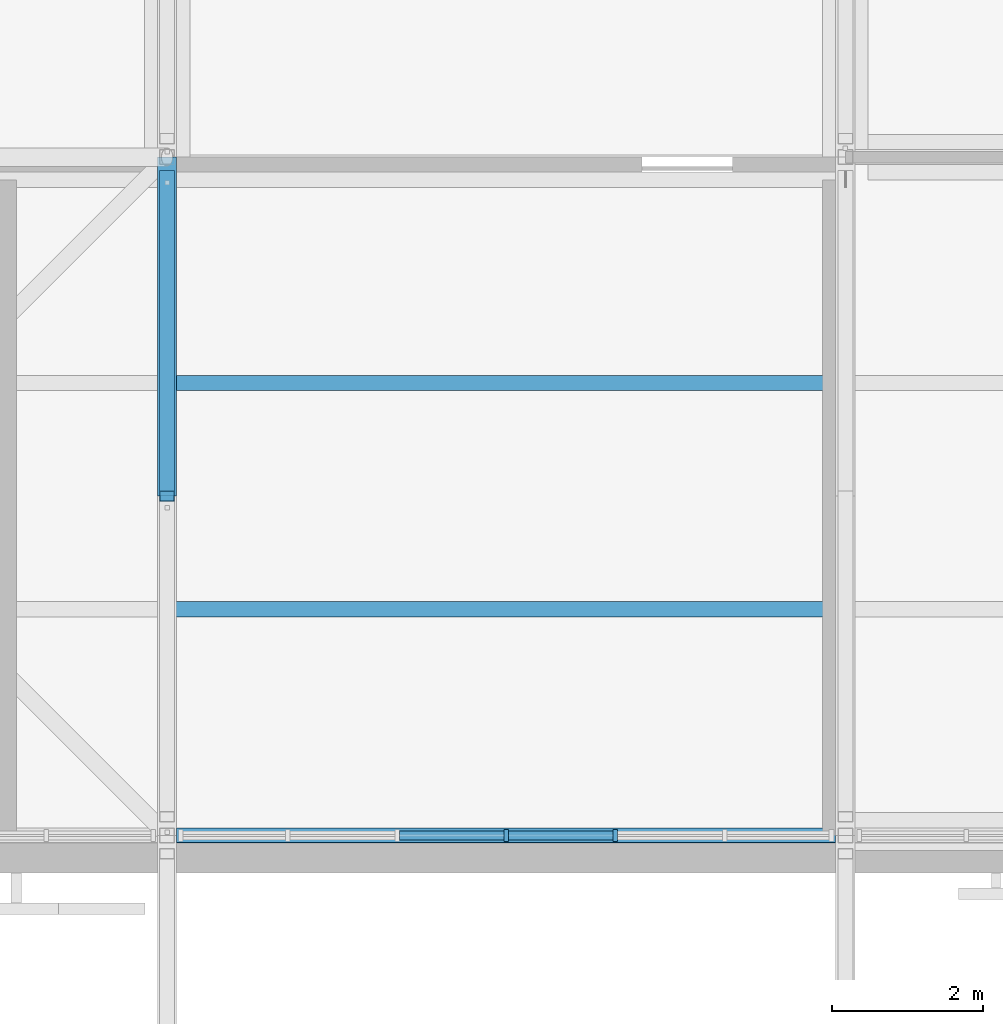
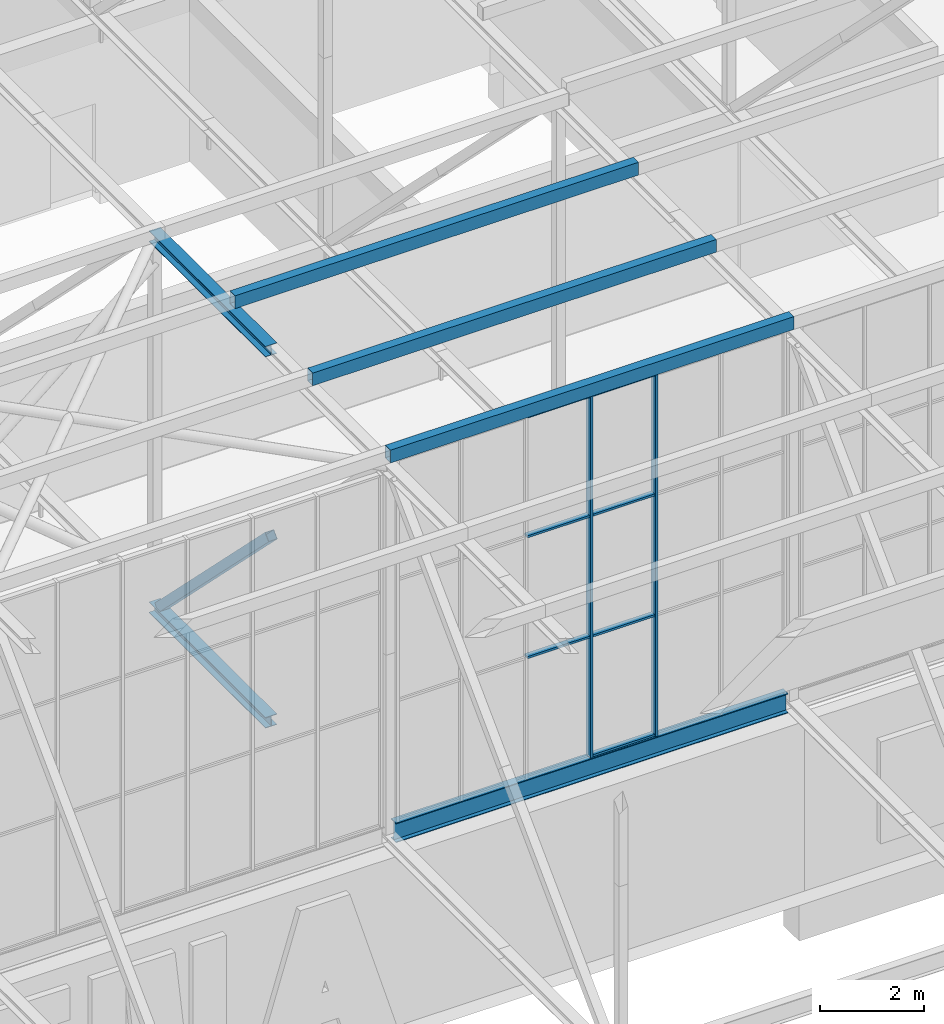
# One storey, part 40 of 646: 15 members, 1 beam, 1 element without a shape of its own.
"""IFC4 building model written with IfcOpenShell, lengths in metres."""

from ifc_helpers import new_model, si_unit, direction, frame, origin, origin_2d, place, context, subcontext, project, spatial, rectangle, hollow_rectangle, i_section, extrude, material, material_profile, profile_set, type_object, element, aggregate, save


model = new_model("IFC4")

# Units and contexts
model_context = context("Model", 3, precision=1e-05, world=origin(), true_north=direction((0.0, 1.0)))
body_context = subcontext(model_context, "Body", "Model", "MODEL_VIEW")
ifc_project = project(units=[si_unit("LENGTHUNIT", "METRE"), si_unit("AREAUNIT", "SQUARE_METRE"), si_unit("VOLUMEUNIT", "CUBIC_METRE"), si_unit("PLANEANGLEUNIT", "RADIAN"), si_unit("MASSUNIT", "GRAM", prefix="KILO")], contexts=[model_context])

# Site, building, storey
site_placement = place(None, origin())
site = spatial("IfcSite", under=ifc_project, at=site_placement, CompositionType="ELEMENT")
building_placement = place(site_placement, origin())
building = spatial("IfcBuilding", under=site, at=building_placement, Name="Silverbay Arena", CompositionType="ELEMENT")
storey_placement = place(building_placement, frame((0.0, 0.0, 33.5)))
storey = spatial("IfcBuildingStorey", under=building, at=storey_placement, Name="L05", CompositionType="ELEMENT", Elevation=33.5)

# Members
ifc_material_1 = material(Name="Steel S355", Category="steel")
ifc_material_profile_1 = material_profile(ifc_material_1, i_section(OverallWidth=0.254638671875, OverallDepth=0.254150390625, WebThickness=0.008544921875, FlangeThickness=0.01416015625, at=origin_2d()), Name="UC 254x254x73")
ifc_profile_set_1 = profile_set([ifc_material_profile_1], Name="Steel S355")
member_type_1 = type_object("IfcMemberType", Name="Medium-span bottom chord UC 254x254x73", PredefinedType="CHORD", material=ifc_profile_set_1)
member_1_placement = place(storey_placement, frame((171.0, 22.5, 4.126953125), z_axis=(0.0, 1.0, 0.0), x_axis=(-1.0, 0.0, 0.0)))
element("IfcMember", 1, at=member_1_placement, inside=storey, type_object=member_type_1, Name="ROOF TRUSS 20 bottom chord 02b", PredefinedType="CHORD", context=body_context, shape_type="SweptSolid", body=[
    extrude(i_section(OverallWidth=0.254638671875, OverallDepth=0.254150390625, WebThickness=0.008544921875, FlangeThickness=0.01416015625, at=origin_2d()), origin(), (0.0, 0.0, 1.0), 4.5),
])
ifc_material_2 = material(Name="Steel S355", Category="steel")
ifc_material_profile_2 = material_profile(ifc_material_2, i_section(OverallWidth=0.254638671875, OverallDepth=0.254150390625, WebThickness=0.008544921875, FlangeThickness=0.01416015625, at=origin_2d()), Name="UC 254x254x73")
ifc_profile_set_2 = profile_set([ifc_material_profile_2], Name="Steel S355")
member_type_2 = type_object("IfcMemberType", Name="Medium-span top chord UC 254x254x73", PredefinedType="CHORD", material=ifc_profile_set_2)
member_2_placement = place(storey_placement, frame((171.0, 22.5, 12.873046875), z_axis=(0.0, 1.0, 0.0), x_axis=(-1.0, 0.0, 0.0)))
element("IfcMember", 2, at=member_2_placement, inside=storey, type_object=member_type_2, Name="ROOF TRUSS 20 top chord 02b", PredefinedType="CHORD", context=body_context, shape_type="SweptSolid", body=[
    extrude(i_section(OverallWidth=0.254638671875, OverallDepth=0.254150390625, WebThickness=0.008544921875, FlangeThickness=0.01416015625, at=origin_2d()), origin(), (0.0, 0.0, 1.0), 4.5),
])
ifc_material_3 = material(Name="Steel S355", Category="steel")
ifc_material_profile_3 = material_profile(ifc_material_3, hollow_rectangle(XDim=0.199951171875, YDim=0.199951171875, WallThickness=0.008056640625, at=origin_2d()), Name="SHS 200x200x8")
ifc_profile_set_3 = profile_set([ifc_material_profile_3], Name="Steel S355")
member_type_3 = type_object("IfcMemberType", Name="Medium-span truss diagonal SHS 200x200x8", PredefinedType="BRACE", material=ifc_profile_set_3)
member_3_placement = place(storey_placement, frame((171.0, 22.5, 8.5), z_axis=(0.0, 0.70781724692, -0.706395600894), x_axis=(-1.0, 0.0, 0.0)))
element("IfcMember", 3, at=member_3_placement, inside=storey, type_object=member_type_3, Name="ROOF TRUSS 20 diagonal 02b", PredefinedType="BRACE", context=body_context, shape_type="SweptSolid", body=[
    extrude(hollow_rectangle(XDim=0.199951171875, YDim=0.199951171875, WallThickness=0.008056640625, at=origin_2d()), origin(), (0.0, 0.0, 1.0), 6.010498046875),
])

# Curtain wall, members
ifc_material_4 = material(Name="Aluminium framed glazing", Category="aluminium")
curtain_wall_type = type_object("IfcCurtainWallType", Name="Curtain wall clerestory 8693 x 8540", PredefinedType="NOTDEFINED", material=ifc_material_4)
curtain_wall_placement = place(storey_placement, origin())
curtain_wall = element("IfcCurtainWall", 4, at=curtain_wall_placement, inside=storey, type_object=curtain_wall_type, Name="ROOF CLERESTORY CURTAIN WALL south bay 14", PredefinedType="NOTDEFINED")
ifc_material_5 = material(Name="Aluminium", Category="aluminium")
ifc_material_profile_4 = material_profile(ifc_material_5, rectangle(XDim=0.159912109375, YDim=0.06005859375, at=origin_2d()), Name="Mullion 60 x 160")
ifc_profile_set_4 = profile_set([ifc_material_profile_4], Name="Aluminium")
member_type_4 = type_object("IfcMemberType", Name="Mullion 60 x 160", PredefinedType="MULLION", material=ifc_profile_set_4)
member_4_placement = place(storey_placement, frame((175.5, 18.0, 4.4599609375), z_axis=(0.0, 0.0, 1.0), x_axis=(0.0, 1.0, 0.0)))
member_4 = element("IfcMember", 5, at=member_4_placement, type_object=member_type_4, Name="CW55 mullion 4", PredefinedType="MULLION", context=body_context, shape_type="SweptSolid", body=[
    extrude(rectangle(XDim=0.159912109375, YDim=0.06005859375, at=origin_2d()), origin(), (0.0, 0.0, 1.0), 8.5400390625),
])
member_5_placement = place(storey_placement, frame((176.94873046875, 18.0, 4.4599609375), z_axis=(0.0, 0.0, 1.0), x_axis=(0.0, 1.0, 0.0)))
member_5 = element("IfcMember", 6, at=member_5_placement, type_object=member_type_4, Name="CW55 mullion 5", PredefinedType="MULLION", context=body_context, shape_type="SweptSolid", body=[
    extrude(rectangle(XDim=0.159912109375, YDim=0.06005859375, at=origin_2d()), origin(), (0.0, 0.0, 1.0), 8.5400390625),
])

# Members
ifc_material_6 = material(Name="Steel S355", Category="steel")
ifc_material_profile_5 = material_profile(ifc_material_6, hollow_rectangle(XDim=0.199951171875, YDim=0.300048828125, WallThickness=0.00634765625, at=origin_2d()), Name="RHS 300x200x6.3")
ifc_profile_set_5 = profile_set([ifc_material_profile_5], Name="Steel S355")
member_type_5 = type_object("IfcMemberType", Name="Purlin RHS 300x200x6.3", PredefinedType="PURLIN", material=ifc_profile_set_5)
member_6_placement = place(storey_placement, frame((171.0, 24.0, 13.14990234375), z_axis=(1.0, 0.0, 0.0), x_axis=(0.0, 1.0, 0.0)))
element("IfcMember", 7, at=member_6_placement, inside=storey, type_object=member_type_5, Name="ROOF PURLIN 20-21 line 06", PredefinedType="PURLIN", context=body_context, shape_type="SweptSolid", body=[
    extrude(hollow_rectangle(XDim=0.199951171875, YDim=0.300048828125, WallThickness=0.00634765625, at=origin_2d()), origin(), (0.0, 0.0, 1.0), 9.0),
])
ifc_material_7 = material(Name="Steel S355", Category="steel")
ifc_material_profile_6 = material_profile(ifc_material_7, hollow_rectangle(XDim=0.199951171875, YDim=0.300048828125, WallThickness=0.008056640625, at=origin_2d()), Name="RHS 300x200x8")
ifc_profile_set_6 = profile_set([ifc_material_profile_6], Name="Steel S355")
member_type_6 = type_object("IfcMemberType", Name="Purlin RHS 300x200x8", PredefinedType="PURLIN", material=ifc_profile_set_6)
for number, where, z_axis, x_axis, name in (
    (8, (171.0, 18.0, 13.14990234375), (1.0, 0.0, 0.0), (0.0, 1.0, 0.0), "ROOF PURLIN 20-21 line 04"),
    (9, (171.0, 21.0, 13.14990234375), (1.0, 0.0, 0.0), (0.0, 1.0, 0.0), "ROOF PURLIN 20-21 line 05"),
):
    element("IfcMember", number, at=place(storey_placement, frame(where, z_axis=z_axis, x_axis=x_axis)), inside=storey, type_object=member_type_6, Name=name, PredefinedType="PURLIN", context=body_context, shape_type="SweptSolid", body=[
        extrude(hollow_rectangle(XDim=0.199951171875, YDim=0.300048828125, WallThickness=0.008056640625, at=origin_2d()), origin(), (0.0, 0.0, 1.0), 9.0),
    ])

# Beam
ifc_material_8 = material(Name="Steel S355", Category="steel")
ifc_material_profile_7 = material_profile(ifc_material_8, i_section(OverallWidth=0.19140625, OverallDepth=0.4599609375, WebThickness=0.010009765625, FlangeThickness=0.01611328125, at=origin_2d()), Name="UB 457x191x82")
ifc_profile_set_7 = profile_set([ifc_material_profile_7], Name="Steel S355")
beam_type = type_object("IfcBeamType", Name="Ring beam UB 457x191x82", PredefinedType="BEAM", material=ifc_profile_set_7)
beam_placement = place(storey_placement, frame((171.127197265625, 18.0, 4.22998046875), z_axis=(1.0, 0.0, 0.0), x_axis=(0.0, 1.0, 0.0)))
element("IfcBeam", 10, at=beam_placement, inside=storey, type_object=beam_type, Name="RING BEAM south facade 20-21", PredefinedType="BEAM", context=body_context, shape_type="SweptSolid", body=[
    extrude(i_section(OverallWidth=0.19140625, OverallDepth=0.4599609375, WebThickness=0.010009765625, FlangeThickness=0.01611328125, at=origin_2d()), origin(), (0.0, 0.0, 1.0), 8.74560546875),
])

# Member
ifc_material_9 = material(Name="Aluminium", Category="aluminium")
ifc_material_profile_8 = material_profile(ifc_material_9, rectangle(XDim=0.1201171875, YDim=0.050048828125, at=origin_2d()), Name="Transom 50 x 120")
ifc_profile_set_8 = profile_set([ifc_material_profile_8], Name="Aluminium")
member_type_7 = type_object("IfcMemberType", Name="Transom 50 x 120", PredefinedType="USERDEFINED", material=ifc_profile_set_8)
member_7_placement = place(storey_placement, frame((174.081298828125, 18.0, 7.306640625), z_axis=(1.0, 0.0, 0.0), x_axis=(0.0, 1.0, 0.0)))
member_7 = element("IfcMember", 11, at=member_7_placement, type_object=member_type_7, Name="CW55 transom 3.2", ObjectType="TRANSOM", PredefinedType="USERDEFINED", context=body_context, shape_type="SweptSolid", body=[
    extrude(rectangle(XDim=0.1201171875, YDim=0.050048828125, at=origin_2d()), origin(), (0.0, 0.0, 1.0), 1.388671875),
])

member_8_placement = place(storey_placement, frame((174.081298828125, 18.0, 10.1533203125), z_axis=(1.0, 0.0, 0.0), x_axis=(0.0, 1.0, 0.0)))
member_8 = element("IfcMember", 12, at=member_8_placement, type_object=member_type_7, Name="CW55 transom 3.3", ObjectType="TRANSOM", PredefinedType="USERDEFINED", context=body_context, shape_type="SweptSolid", body=[
    extrude(rectangle(XDim=0.1201171875, YDim=0.050048828125, at=origin_2d()), origin(), (0.0, 0.0, 1.0), 1.388671875),
])

member_9_placement = place(storey_placement, frame((174.081298828125, 18.0, 12.97509765625), z_axis=(1.0, 0.0, 0.0), x_axis=(0.0, 1.0, 0.0)))
member_9 = element("IfcMember", 13, at=member_9_placement, type_object=member_type_7, Name="CW55 transom 3.4", ObjectType="TRANSOM", PredefinedType="USERDEFINED", context=body_context, shape_type="SweptSolid", body=[
    extrude(rectangle(XDim=0.1201171875, YDim=0.050048828125, at=origin_2d()), origin(), (0.0, 0.0, 1.0), 1.388671875),
])

member_10_placement = place(storey_placement, frame((175.530029296875, 18.0, 4.485107421875), z_axis=(1.0, 0.0, 0.0), x_axis=(0.0, 1.0, 0.0)))
member_10 = element("IfcMember", 14, at=member_10_placement, type_object=member_type_7, Name="CW55 transom 4.1", ObjectType="TRANSOM", PredefinedType="USERDEFINED", context=body_context, shape_type="SweptSolid", body=[
    extrude(rectangle(XDim=0.1201171875, YDim=0.050048828125, at=origin_2d()), origin(), (0.0, 0.0, 1.0), 1.388671875),
])

member_11_placement = place(storey_placement, frame((175.530029296875, 18.0, 7.306640625), z_axis=(1.0, 0.0, 0.0), x_axis=(0.0, 1.0, 0.0)))
member_11 = element("IfcMember", 15, at=member_11_placement, type_object=member_type_7, Name="CW55 transom 4.2", ObjectType="TRANSOM", PredefinedType="USERDEFINED", context=body_context, shape_type="SweptSolid", body=[
    extrude(rectangle(XDim=0.1201171875, YDim=0.050048828125, at=origin_2d()), origin(), (0.0, 0.0, 1.0), 1.388671875),
])

member_12_placement = place(storey_placement, frame((175.530029296875, 18.0, 10.1533203125), z_axis=(1.0, 0.0, 0.0), x_axis=(0.0, 1.0, 0.0)))
member_12 = element("IfcMember", 16, at=member_12_placement, type_object=member_type_7, Name="CW55 transom 4.3", ObjectType="TRANSOM", PredefinedType="USERDEFINED", context=body_context, shape_type="SweptSolid", body=[
    extrude(rectangle(XDim=0.1201171875, YDim=0.050048828125, at=origin_2d()), origin(), (0.0, 0.0, 1.0), 1.388671875),
])

member_13_placement = place(storey_placement, frame((175.530029296875, 18.0, 12.97509765625), z_axis=(1.0, 0.0, 0.0), x_axis=(0.0, 1.0, 0.0)))
member_13 = element("IfcMember", 17, at=member_13_placement, type_object=member_type_7, Name="CW55 transom 4.4", ObjectType="TRANSOM", PredefinedType="USERDEFINED", context=body_context, shape_type="SweptSolid", body=[
    extrude(rectangle(XDim=0.1201171875, YDim=0.050048828125, at=origin_2d()), origin(), (0.0, 0.0, 1.0), 1.388671875),
])

aggregate(curtain_wall, [member_4, member_5, member_7, member_8, member_9, member_10, member_11, member_12, member_13])

save(model, "model.ifc")
